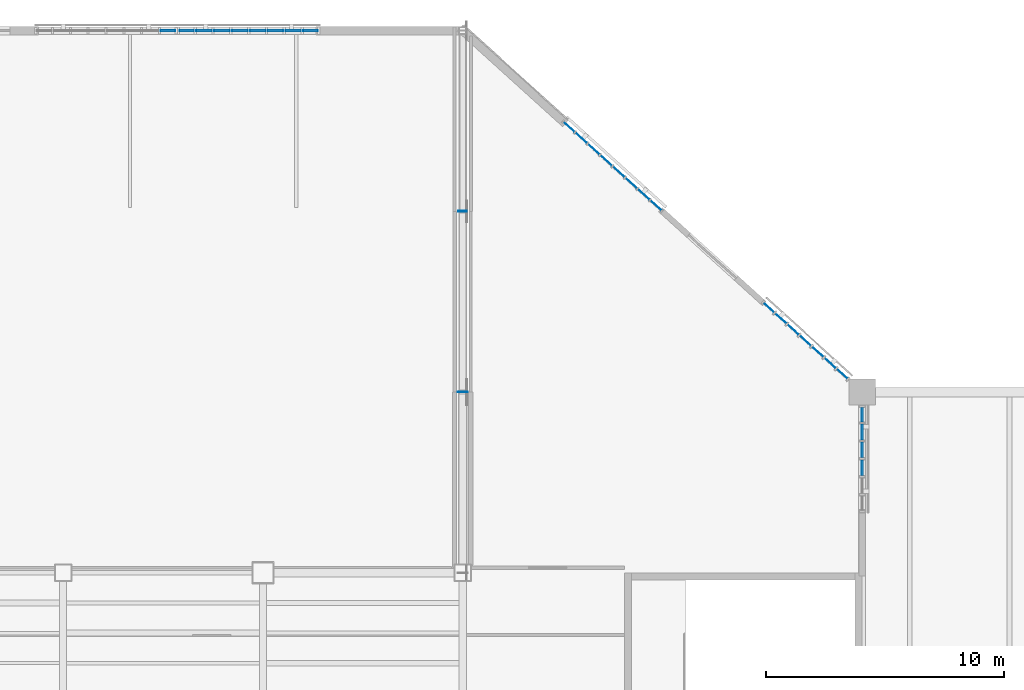
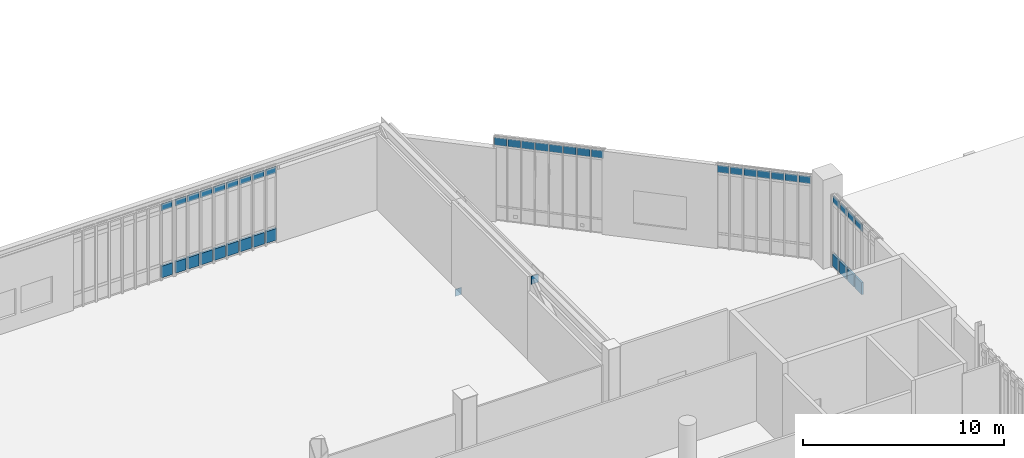
# One storey, part 103 of 135: 43 plates, 5 elements without a shape of their own.
"""IFC4 building model written with IfcOpenShell, lengths in metres."""

from ifc_helpers import new_model, si_unit, direction, frame, origin, origin_2d, place, context, subcontext, project, spatial, rectangle, extrude, material, layer, layer_set, type_object, element, aggregate, save


model = new_model("IFC4")

# Units and contexts
model_context = context("Model", 3, precision=1e-05, world=origin(), true_north=direction((0.0, 1.0)))
body_context = subcontext(model_context, "Body", "Model", "MODEL_VIEW")
ifc_project = project(units=[si_unit("LENGTHUNIT", "METRE"), si_unit("AREAUNIT", "SQUARE_METRE"), si_unit("VOLUMEUNIT", "CUBIC_METRE"), si_unit("PLANEANGLEUNIT", "RADIAN"), si_unit("MASSUNIT", "GRAM", prefix="KILO")], contexts=[model_context])

# Site, building, storey
site_placement = place(None, origin())
site = spatial("IfcSite", under=ifc_project, at=site_placement, CompositionType="ELEMENT")
building_placement = place(site_placement, origin())
building = spatial("IfcBuilding", under=site, at=building_placement, Name="Larkvane Passage Sports Hall", CompositionType="ELEMENT")
storey_placement = place(building_placement, frame((0.0, 0.0, 16.800048828125)))
storey = spatial("IfcBuildingStorey", under=building, at=storey_placement, Name="L03", CompositionType="ELEMENT", Elevation=16.800048828125)

# Curtain wall, plate
ifc_material_1 = material(Name="Thermally broken aluminium and low-E glazing", Category="aluminium")
curtain_wall_type_1 = type_object("IfcCurtainWallType", Name="CW-STICK-FOYER", PredefinedType="USERDEFINED", material=ifc_material_1)
curtain_wall_1_placement = place(storey_placement, origin())
curtain_wall_1 = element("IfcCurtainWall", 1, at=curtain_wall_1_placement, inside=storey, type_object=curtain_wall_type_1, Name="Curtain wall CW5-L03-138", ObjectType="STICK CURTAIN WALL", PredefinedType="USERDEFINED")
ifc_material_2 = material(Name="Fire-stopped shadow-box spandrel panel")
ifc_layer_1 = layer(ifc_material_2, 0.10498046875)
ifc_layer_set_1 = layer_set([ifc_layer_1], Name="Fire-stopped shadow-box spandrel panel")
plate_type_1 = type_object("IfcPlateType", Name="CWP-SPD-105", PredefinedType="CURTAIN_PANEL", material=ifc_layer_set_1)
plate_1_placement = place(storey_placement, frame((64.402587890625, 114.39990234375, 0.08984375), z_axis=(0.0, 0.0, 1.0), x_axis=(1.0, 0.0, 0.0)))
plate_1 = element("IfcPlate", 2, at=plate_1_placement, type_object=plate_type_1, Name="CW-03 panel 8.1", PredefinedType="CURTAIN_PANEL", context=body_context, shape_type="SweptSolid", body=[
    extrude(rectangle(XDim=0.614990234375, YDim=0.10498046875, at=origin_2d()), origin(), (0.0, 0.0, 1.0), 0.715087890625),
])

# Curtain wall, plates
curtain_wall_2_placement = place(storey_placement, origin())
curtain_wall_2 = element("IfcCurtainWall", 3, at=curtain_wall_2_placement, inside=storey, type_object=curtain_wall_type_1, Name="Curtain wall CW5-L03-142", ObjectType="STICK CURTAIN WALL", PredefinedType="USERDEFINED")
plate_2_placement = place(storey_placement, frame((93.60009765625, 98.25732421875, 0.080078125), z_axis=(0.0, 0.0, 1.0), x_axis=(0.0, -1.0, 0.0)))
plate_2 = element("IfcPlate", 4, at=plate_2_placement, type_object=plate_type_1, Name="CW-03 panel 1.1", PredefinedType="CURTAIN_PANEL", context=body_context, shape_type="SweptSolid", body=[
    extrude(rectangle(XDim=0.633544921875, YDim=0.10498046875, at=origin_2d()), origin(), (0.0, 0.0, 1.0), 0.72998046875),
])
plate_3_placement = place(storey_placement, frame((93.60009765625, 97.52392578125, 0.080078125), z_axis=(0.0, 0.0, 1.0), x_axis=(0.0, -1.0, 0.0)))
plate_3 = element("IfcPlate", 5, at=plate_3_placement, type_object=plate_type_1, Name="CW-03 panel 2.1", PredefinedType="CURTAIN_PANEL", context=body_context, shape_type="SweptSolid", body=[
    extrude(rectangle(XDim=0.67333984375, YDim=0.10498046875, at=origin_2d()), origin(), (0.0, 0.0, 1.0), 0.72998046875),
])
plate_4_placement = place(storey_placement, frame((93.60009765625, 96.770263671875, 0.080078125), z_axis=(0.0, 0.0, 1.0), x_axis=(0.0, -1.0, 0.0)))
plate_4 = element("IfcPlate", 6, at=plate_4_placement, type_object=plate_type_1, Name="CW-03 panel 3.1", PredefinedType="CURTAIN_PANEL", context=body_context, shape_type="SweptSolid", body=[
    extrude(rectangle(XDim=0.67333984375, YDim=0.10498046875, at=origin_2d()), origin(), (0.0, 0.0, 1.0), 0.72998046875),
])
plate_5_placement = place(storey_placement, frame((93.60009765625, 96.016845703125, 0.080078125), z_axis=(0.0, 0.0, 1.0), x_axis=(0.0, -1.0, 0.0)))
plate_5 = element("IfcPlate", 7, at=plate_5_placement, type_object=plate_type_1, Name="CW-03 panel 4.1", PredefinedType="CURTAIN_PANEL", context=body_context, shape_type="SweptSolid", body=[
    extrude(rectangle(XDim=0.67333984375, YDim=0.10498046875, at=origin_2d()), origin(), (0.0, 0.0, 1.0), 0.72998046875),
])

curtain_wall_type_2 = type_object("IfcCurtainWallType", Name="CW-CLINIC", PredefinedType="USERDEFINED", material=ifc_material_1)
curtain_wall_3_placement = place(storey_placement, origin())
curtain_wall_3 = element("IfcCurtainWall", 8, at=curtain_wall_3_placement, inside=storey, type_object=curtain_wall_type_2, Name="Curtain wall CW5-L03-139", ObjectType="UNITISED CURTAIN WALL", PredefinedType="USERDEFINED")
ifc_material_3 = material(Name="Deep insulated facade spandrel panel")
ifc_layer_2 = layer(ifc_material_3, 0.125)
ifc_layer_set_2 = layer_set([ifc_layer_2], Name="Deep insulated facade spandrel panel")
plate_type_2 = type_object("IfcPlateType", Name="CWP-SPD-125", PredefinedType="CURTAIN_PANEL", material=ifc_layer_set_2)
plate_6_placement = place(storey_placement, frame((65.199951171875, 114.39990234375, 0.10009765625), z_axis=(0.0, 0.0, 1.0), x_axis=(1.0, 0.0, 0.0)))
plate_6 = element("IfcPlate", 9, at=plate_6_placement, type_object=plate_type_2, Name="CW-05 panel 1.1", PredefinedType="CURTAIN_PANEL", context=body_context, shape_type="SweptSolid", body=[
    extrude(rectangle(XDim=0.60009765625, YDim=0.125, at=origin_2d()), origin(), (0.0, 0.0, 1.0), 0.699951171875),
])
plate_7_placement = place(storey_placement, frame((65.925048828125, 114.39990234375, 0.10009765625), z_axis=(0.0, 0.0, 1.0), x_axis=(1.0, 0.0, 0.0)))
plate_7 = element("IfcPlate", 10, at=plate_7_placement, type_object=plate_type_2, Name="CW-05 panel 2.1", PredefinedType="CURTAIN_PANEL", context=body_context, shape_type="SweptSolid", body=[
    extrude(rectangle(XDim=0.64990234375, YDim=0.125, at=origin_2d()), origin(), (0.0, 0.0, 1.0), 0.699951171875),
])
plate_8_placement = place(storey_placement, frame((66.675048828125, 114.39990234375, 0.10009765625), z_axis=(0.0, 0.0, 1.0), x_axis=(1.0, 0.0, 0.0)))
plate_8 = element("IfcPlate", 11, at=plate_8_placement, type_object=plate_type_2, Name="CW-05 panel 3.1", PredefinedType="CURTAIN_PANEL", context=body_context, shape_type="SweptSolid", body=[
    extrude(rectangle(XDim=0.64990234375, YDim=0.125, at=origin_2d()), origin(), (0.0, 0.0, 1.0), 0.699951171875),
])
plate_9_placement = place(storey_placement, frame((67.425048828125, 114.39990234375, 0.10009765625), z_axis=(0.0, 0.0, 1.0), x_axis=(1.0, 0.0, 0.0)))
plate_9 = element("IfcPlate", 12, at=plate_9_placement, type_object=plate_type_2, Name="CW-05 panel 4.1", PredefinedType="CURTAIN_PANEL", context=body_context, shape_type="SweptSolid", body=[
    extrude(rectangle(XDim=0.64990234375, YDim=0.125, at=origin_2d()), origin(), (0.0, 0.0, 1.0), 0.699951171875),
])
plate_10_placement = place(storey_placement, frame((68.175048828125, 114.39990234375, 0.10009765625), z_axis=(0.0, 0.0, 1.0), x_axis=(1.0, 0.0, 0.0)))
plate_10 = element("IfcPlate", 13, at=plate_10_placement, type_object=plate_type_2, Name="CW-05 panel 5.1", PredefinedType="CURTAIN_PANEL", context=body_context, shape_type="SweptSolid", body=[
    extrude(rectangle(XDim=0.64990234375, YDim=0.125, at=origin_2d()), origin(), (0.0, 0.0, 1.0), 0.699951171875),
])
plate_11_placement = place(storey_placement, frame((68.925048828125, 114.39990234375, 0.10009765625), z_axis=(0.0, 0.0, 1.0), x_axis=(1.0, 0.0, 0.0)))
plate_11 = element("IfcPlate", 14, at=plate_11_placement, type_object=plate_type_2, Name="CW-05 panel 6.1", PredefinedType="CURTAIN_PANEL", context=body_context, shape_type="SweptSolid", body=[
    extrude(rectangle(XDim=0.64990234375, YDim=0.125, at=origin_2d()), origin(), (0.0, 0.0, 1.0), 0.699951171875),
])
plate_12_placement = place(storey_placement, frame((69.675048828125, 114.39990234375, 0.10009765625), z_axis=(0.0, 0.0, 1.0), x_axis=(1.0, 0.0, 0.0)))
plate_12 = element("IfcPlate", 15, at=plate_12_placement, type_object=plate_type_2, Name="CW-05 panel 7.1", PredefinedType="CURTAIN_PANEL", context=body_context, shape_type="SweptSolid", body=[
    extrude(rectangle(XDim=0.64990234375, YDim=0.125, at=origin_2d()), origin(), (0.0, 0.0, 1.0), 0.699951171875),
])
plate_13_placement = place(storey_placement, frame((70.39990234375, 114.39990234375, 0.10009765625), z_axis=(0.0, 0.0, 1.0), x_axis=(1.0, 0.0, 0.0)))
plate_13 = element("IfcPlate", 16, at=plate_13_placement, type_object=plate_type_2, Name="CW-05 panel 8.1", PredefinedType="CURTAIN_PANEL", context=body_context, shape_type="SweptSolid", body=[
    extrude(rectangle(XDim=0.60009765625, YDim=0.125, at=origin_2d()), origin(), (0.0, 0.0, 1.0), 0.699951171875),
])

curtain_wall_type_3 = type_object("IfcCurtainWallType", Name="CW-UNIT-COURT", PredefinedType="USERDEFINED", material=ifc_material_1)
curtain_wall_4_placement = place(storey_placement, origin())
curtain_wall_4 = element("IfcCurtainWall", 17, at=curtain_wall_4_placement, inside=storey, type_object=curtain_wall_type_3, Name="Curtain wall CW5-L03-140", ObjectType="UNITISED CURTAIN WALL", PredefinedType="USERDEFINED")
ifc_material_4 = material(Name="Solar-control low-E double glazing", Category="glass")
ifc_layer_3 = layer(ifc_material_4, 0.028076171875)
ifc_layer_set_3 = layer_set([ifc_layer_3], Name="Solar-control low-E double glazing")
plate_type_3 = type_object("IfcPlateType", Name="CWP-VIS-28", PredefinedType="CURTAIN_PANEL", material=ifc_layer_set_3)
plate_14_placement = place(storey_placement, frame((81.273681640625, 110.3525390625, 4.550048828125), z_axis=(0.0, 0.0, 1.0), x_axis=(0.741535779122, -0.670913323971, 0.0)))
plate_14 = element("IfcPlate", 18, at=plate_14_placement, type_object=plate_type_3, Name="CW-01 panel 1.3", PredefinedType="CURTAIN_PANEL", context=body_context, shape_type="SweptSolid", body=[
    extrude(rectangle(XDim=0.617919921875, YDim=0.028076171875, at=origin_2d()), origin(), (0.0, 0.0, 1.0), 0.4599609375),
])
plate_15_placement = place(storey_placement, frame((81.78759765625, 109.887451171875, 4.550048828125), z_axis=(0.0, 0.0, 1.0), x_axis=(0.741535779122, -0.670913323971, 0.0)))
plate_15 = element("IfcPlate", 19, at=plate_15_placement, type_object=plate_type_3, Name="CW-01 panel 2.3", PredefinedType="CURTAIN_PANEL", context=body_context, shape_type="SweptSolid", body=[
    extrude(rectangle(XDim=0.64794921875, YDim=0.028076171875, at=origin_2d()), origin(), (0.0, 0.0, 1.0), 0.4599609375),
])
plate_16_placement = place(storey_placement, frame((82.3125, 109.41259765625, 4.550048828125), z_axis=(0.0, 0.0, 1.0), x_axis=(0.741535779122, -0.670913323971, 0.0)))
plate_16 = element("IfcPlate", 20, at=plate_16_placement, type_object=plate_type_3, Name="CW-01 panel 3.3", PredefinedType="CURTAIN_PANEL", context=body_context, shape_type="SweptSolid", body=[
    extrude(rectangle(XDim=0.64794921875, YDim=0.028076171875, at=origin_2d()), origin(), (0.0, 0.0, 1.0), 0.4599609375),
])
plate_17_placement = place(storey_placement, frame((82.83740234375, 108.9375, 4.550048828125), z_axis=(0.0, 0.0, 1.0), x_axis=(0.741535779122, -0.670913323971, 0.0)))
plate_17 = element("IfcPlate", 21, at=plate_17_placement, type_object=plate_type_3, Name="CW-01 panel 4.3", PredefinedType="CURTAIN_PANEL", context=body_context, shape_type="SweptSolid", body=[
    extrude(rectangle(XDim=0.64794921875, YDim=0.028076171875, at=origin_2d()), origin(), (0.0, 0.0, 1.0), 0.4599609375),
])
plate_18_placement = place(storey_placement, frame((83.362548828125, 108.46240234375, 4.550048828125), z_axis=(0.0, 0.0, 1.0), x_axis=(0.741535779122, -0.670913323971, 0.0)))
plate_18 = element("IfcPlate", 22, at=plate_18_placement, type_object=plate_type_3, Name="CW-01 panel 5.3", PredefinedType="CURTAIN_PANEL", context=body_context, shape_type="SweptSolid", body=[
    extrude(rectangle(XDim=0.64794921875, YDim=0.028076171875, at=origin_2d()), origin(), (0.0, 0.0, 1.0), 0.4599609375),
])
plate_19_placement = place(storey_placement, frame((83.887451171875, 107.987548828125, 4.550048828125), z_axis=(0.0, 0.0, 1.0), x_axis=(0.741535779122, -0.670913323971, 0.0)))
plate_19 = element("IfcPlate", 23, at=plate_19_placement, type_object=plate_type_3, Name="CW-01 panel 6.3", PredefinedType="CURTAIN_PANEL", context=body_context, shape_type="SweptSolid", body=[
    extrude(rectangle(XDim=0.64794921875, YDim=0.028076171875, at=origin_2d()), origin(), (0.0, 0.0, 1.0), 0.4599609375),
])
plate_20_placement = place(storey_placement, frame((84.41259765625, 107.512451171875, 4.550048828125), z_axis=(0.0, 0.0, 1.0), x_axis=(0.741535779122, -0.670913323971, 0.0)))
plate_20 = element("IfcPlate", 24, at=plate_20_placement, type_object=plate_type_3, Name="CW-01 panel 7.3", PredefinedType="CURTAIN_PANEL", context=body_context, shape_type="SweptSolid", body=[
    extrude(rectangle(XDim=0.64794921875, YDim=0.028076171875, at=origin_2d()), origin(), (0.0, 0.0, 1.0), 0.4599609375),
])
plate_21_placement = place(storey_placement, frame((84.92626953125, 107.047607421875, 4.550048828125), z_axis=(0.0, 0.0, 1.0), x_axis=(0.741535779122, -0.670913323971, 0.0)))
plate_21 = element("IfcPlate", 25, at=plate_21_placement, type_object=plate_type_3, Name="CW-01 panel 8.3", PredefinedType="CURTAIN_PANEL", context=body_context, shape_type="SweptSolid", body=[
    extrude(rectangle(XDim=0.617919921875, YDim=0.028076171875, at=origin_2d()), origin(), (0.0, 0.0, 1.0), 0.4599609375),
])
aggregate(curtain_wall_4, [plate_14, plate_15, plate_16, plate_17, plate_18, plate_19, plate_20, plate_21])

curtain_wall_type_4 = type_object("IfcCurtainWallType", Name="CW-UNIT-VEIL", PredefinedType="USERDEFINED", material=ifc_material_1)
curtain_wall_5_placement = place(storey_placement, origin())
curtain_wall_5 = element("IfcCurtainWall", 26, at=curtain_wall_5_placement, inside=storey, type_object=curtain_wall_type_4, Name="Curtain wall CW5-L03-141", ObjectType="UNITISED CURTAIN WALL", PredefinedType="USERDEFINED")
ifc_material_5 = material(Name="Laminated acoustic low-E glazing", Category="glass")
ifc_layer_4 = layer(ifc_material_5, 0.031982421875)
ifc_layer_set_4 = layer_set([ifc_layer_4], Name="Laminated acoustic low-E glazing")
plate_type_4 = type_object("IfcPlateType", Name="CWP-VIS-32", PredefinedType="CURTAIN_PANEL", material=ifc_layer_set_4)
plate_22_placement = place(storey_placement, frame((89.672119140625, 102.75390625, 4.5546875), z_axis=(0.0, 0.0, 1.0), x_axis=(0.741533841653, -0.670915465378, 0.0)))
plate_22 = element("IfcPlate", 27, at=plate_22_placement, type_object=plate_type_4, Name="CW-02 panel 1.3", PredefinedType="CURTAIN_PANEL", context=body_context, shape_type="SweptSolid", body=[
    extrude(rectangle(XDim=0.59375, YDim=0.031982421875, at=origin_2d()), origin(), (0.0, 0.0, 1.0), 0.445068359375),
])
plate_23_placement = place(storey_placement, frame((90.17724609375, 102.296875, 4.5546875), z_axis=(0.0, 0.0, 1.0), x_axis=(0.741533841653, -0.670915465378, 0.0)))
plate_23 = element("IfcPlate", 28, at=plate_23_placement, type_object=plate_type_4, Name="CW-02 panel 2.3", PredefinedType="CURTAIN_PANEL", context=body_context, shape_type="SweptSolid", body=[
    extrude(rectangle(XDim=0.628662109375, YDim=0.031982421875, at=origin_2d()), origin(), (0.0, 0.0, 1.0), 0.445068359375),
])
plate_24_placement = place(storey_placement, frame((90.6953125, 101.828125, 4.5546875), z_axis=(0.0, 0.0, 1.0), x_axis=(0.741533841653, -0.670915465378, 0.0)))
plate_24 = element("IfcPlate", 29, at=plate_24_placement, type_object=plate_type_4, Name="CW-02 panel 3.3", PredefinedType="CURTAIN_PANEL", context=body_context, shape_type="SweptSolid", body=[
    extrude(rectangle(XDim=0.628662109375, YDim=0.031982421875, at=origin_2d()), origin(), (0.0, 0.0, 1.0), 0.445068359375),
])
plate_25_placement = place(storey_placement, frame((91.21337890625, 101.359130859375, 4.5546875), z_axis=(0.0, 0.0, 1.0), x_axis=(0.741533841653, -0.670915465378, 0.0)))
plate_25 = element("IfcPlate", 30, at=plate_25_placement, type_object=plate_type_4, Name="CW-02 panel 4.3", PredefinedType="CURTAIN_PANEL", context=body_context, shape_type="SweptSolid", body=[
    extrude(rectangle(XDim=0.628662109375, YDim=0.031982421875, at=origin_2d()), origin(), (0.0, 0.0, 1.0), 0.445068359375),
])
plate_26_placement = place(storey_placement, frame((91.731689453125, 100.890380859375, 4.5546875), z_axis=(0.0, 0.0, 1.0), x_axis=(0.741533841653, -0.670915465378, 0.0)))
plate_26 = element("IfcPlate", 31, at=plate_26_placement, type_object=plate_type_4, Name="CW-02 panel 5.3", PredefinedType="CURTAIN_PANEL", context=body_context, shape_type="SweptSolid", body=[
    extrude(rectangle(XDim=0.628662109375, YDim=0.031982421875, at=origin_2d()), origin(), (0.0, 0.0, 1.0), 0.445068359375),
])
plate_27_placement = place(storey_placement, frame((92.249755859375, 100.421630859375, 4.5546875), z_axis=(0.0, 0.0, 1.0), x_axis=(0.741533841653, -0.670915465378, 0.0)))
plate_27 = element("IfcPlate", 32, at=plate_27_placement, type_object=plate_type_4, Name="CW-02 panel 6.3", PredefinedType="CURTAIN_PANEL", context=body_context, shape_type="SweptSolid", body=[
    extrude(rectangle(XDim=0.628662109375, YDim=0.031982421875, at=origin_2d()), origin(), (0.0, 0.0, 1.0), 0.445068359375),
])
plate_28_placement = place(storey_placement, frame((92.7548828125, 99.964599609375, 4.5546875), z_axis=(0.0, 0.0, 1.0), x_axis=(0.741533841653, -0.670915465378, 0.0)))
plate_28 = element("IfcPlate", 33, at=plate_28_placement, type_object=plate_type_4, Name="CW-02 panel 7.3", PredefinedType="CURTAIN_PANEL", context=body_context, shape_type="SweptSolid", body=[
    extrude(rectangle(XDim=0.59375, YDim=0.031982421875, at=origin_2d()), origin(), (0.0, 0.0, 1.0), 0.445068359375),
])
aggregate(curtain_wall_5, [plate_22, plate_23, plate_24, plate_25, plate_26, plate_27, plate_28])

# Plate
ifc_material_6 = material(Name="High-impact court low-E glazing", Category="glass")
ifc_layer_5 = layer(ifc_material_6, 0.035888671875)
ifc_layer_set_5 = layer_set([ifc_layer_5], Name="High-impact court low-E glazing")
plate_type_5 = type_object("IfcPlateType", Name="CWP-VIS-36", PredefinedType="CURTAIN_PANEL", material=ifc_layer_set_5)
plate_29_placement = place(storey_placement, frame((64.402587890625, 114.39990234375, 4.142822265625), z_axis=(0.0, 0.0, 1.0), x_axis=(1.0, 0.0, 0.0)))
plate_29 = element("IfcPlate", 34, at=plate_29_placement, type_object=plate_type_5, Name="CW-03 panel 8.3", PredefinedType="CURTAIN_PANEL", context=body_context, shape_type="SweptSolid", body=[
    extrude(rectangle(XDim=0.614990234375, YDim=0.035888671875, at=origin_2d()), origin(), (0.0, 0.0, 1.0), 0.4150390625),
])

aggregate(curtain_wall_1, [plate_1, plate_29])

plate_30_placement = place(storey_placement, frame((93.60009765625, 98.25732421875, 3.89794921875), z_axis=(0.0, 0.0, 1.0), x_axis=(0.0, -1.0, 0.0)))
plate_30 = element("IfcPlate", 35, at=plate_30_placement, type_object=plate_type_5, Name="CW-03 panel 1.3", PredefinedType="CURTAIN_PANEL", context=body_context, shape_type="SweptSolid", body=[
    extrude(rectangle(XDim=0.633544921875, YDim=0.035888671875, at=origin_2d()), origin(), (0.0, 0.0, 1.0), 0.429931640625),
])

plate_31_placement = place(storey_placement, frame((93.60009765625, 97.52392578125, 3.89794921875), z_axis=(0.0, 0.0, 1.0), x_axis=(0.0, -1.0, 0.0)))
plate_31 = element("IfcPlate", 36, at=plate_31_placement, type_object=plate_type_5, Name="CW-03 panel 2.3", PredefinedType="CURTAIN_PANEL", context=body_context, shape_type="SweptSolid", body=[
    extrude(rectangle(XDim=0.67333984375, YDim=0.035888671875, at=origin_2d()), origin(), (0.0, 0.0, 1.0), 0.429931640625),
])

plate_32_placement = place(storey_placement, frame((93.60009765625, 96.770263671875, 3.89794921875), z_axis=(0.0, 0.0, 1.0), x_axis=(0.0, -1.0, 0.0)))
plate_32 = element("IfcPlate", 37, at=plate_32_placement, type_object=plate_type_5, Name="CW-03 panel 3.3", PredefinedType="CURTAIN_PANEL", context=body_context, shape_type="SweptSolid", body=[
    extrude(rectangle(XDim=0.67333984375, YDim=0.035888671875, at=origin_2d()), origin(), (0.0, 0.0, 1.0), 0.429931640625),
])

plate_33_placement = place(storey_placement, frame((93.60009765625, 96.016845703125, 3.89794921875), z_axis=(0.0, 0.0, 1.0), x_axis=(0.0, -1.0, 0.0)))
plate_33 = element("IfcPlate", 38, at=plate_33_placement, type_object=plate_type_5, Name="CW-03 panel 4.3", PredefinedType="CURTAIN_PANEL", context=body_context, shape_type="SweptSolid", body=[
    extrude(rectangle(XDim=0.67333984375, YDim=0.035888671875, at=origin_2d()), origin(), (0.0, 0.0, 1.0), 0.429931640625),
])

aggregate(curtain_wall_2, [plate_2, plate_30, plate_3, plate_31, plate_4, plate_32, plate_5, plate_33])

ifc_material_7 = material(Name="Triple-laminated typhoon glazing", Category="glass")
ifc_layer_6 = layer(ifc_material_7, 0.0419921875)
ifc_layer_set_6 = layer_set([ifc_layer_6], Name="Triple-laminated typhoon glazing")
plate_type_6 = type_object("IfcPlateType", Name="CWP-VIS-42", PredefinedType="CURTAIN_PANEL", material=ifc_layer_set_6)
plate_34_placement = place(storey_placement, frame((65.199951171875, 114.39990234375, 4.14794921875), z_axis=(0.0, 0.0, 1.0), x_axis=(1.0, 0.0, 0.0)))
plate_34 = element("IfcPlate", 39, at=plate_34_placement, type_object=plate_type_6, Name="CW-05 panel 1.3", PredefinedType="CURTAIN_PANEL", context=body_context, shape_type="SweptSolid", body=[
    extrude(rectangle(XDim=0.60009765625, YDim=0.0419921875, at=origin_2d()), origin(), (0.0, 0.0, 1.0), 0.39990234375),
])

plate_35_placement = place(storey_placement, frame((65.925048828125, 114.39990234375, 4.14794921875), z_axis=(0.0, 0.0, 1.0), x_axis=(1.0, 0.0, 0.0)))
plate_35 = element("IfcPlate", 40, at=plate_35_placement, type_object=plate_type_6, Name="CW-05 panel 2.3", PredefinedType="CURTAIN_PANEL", context=body_context, shape_type="SweptSolid", body=[
    extrude(rectangle(XDim=0.64990234375, YDim=0.0419921875, at=origin_2d()), origin(), (0.0, 0.0, 1.0), 0.39990234375),
])

plate_36_placement = place(storey_placement, frame((66.675048828125, 114.39990234375, 4.14794921875), z_axis=(0.0, 0.0, 1.0), x_axis=(1.0, 0.0, 0.0)))
plate_36 = element("IfcPlate", 41, at=plate_36_placement, type_object=plate_type_6, Name="CW-05 panel 3.3", PredefinedType="CURTAIN_PANEL", context=body_context, shape_type="SweptSolid", body=[
    extrude(rectangle(XDim=0.64990234375, YDim=0.0419921875, at=origin_2d()), origin(), (0.0, 0.0, 1.0), 0.39990234375),
])

plate_37_placement = place(storey_placement, frame((67.425048828125, 114.39990234375, 4.14794921875), z_axis=(0.0, 0.0, 1.0), x_axis=(1.0, 0.0, 0.0)))
plate_37 = element("IfcPlate", 42, at=plate_37_placement, type_object=plate_type_6, Name="CW-05 panel 4.3", PredefinedType="CURTAIN_PANEL", context=body_context, shape_type="SweptSolid", body=[
    extrude(rectangle(XDim=0.64990234375, YDim=0.0419921875, at=origin_2d()), origin(), (0.0, 0.0, 1.0), 0.39990234375),
])

plate_38_placement = place(storey_placement, frame((68.175048828125, 114.39990234375, 4.14794921875), z_axis=(0.0, 0.0, 1.0), x_axis=(1.0, 0.0, 0.0)))
plate_38 = element("IfcPlate", 43, at=plate_38_placement, type_object=plate_type_6, Name="CW-05 panel 5.3", PredefinedType="CURTAIN_PANEL", context=body_context, shape_type="SweptSolid", body=[
    extrude(rectangle(XDim=0.64990234375, YDim=0.0419921875, at=origin_2d()), origin(), (0.0, 0.0, 1.0), 0.39990234375),
])

plate_39_placement = place(storey_placement, frame((68.925048828125, 114.39990234375, 4.14794921875), z_axis=(0.0, 0.0, 1.0), x_axis=(1.0, 0.0, 0.0)))
plate_39 = element("IfcPlate", 44, at=plate_39_placement, type_object=plate_type_6, Name="CW-05 panel 6.3", PredefinedType="CURTAIN_PANEL", context=body_context, shape_type="SweptSolid", body=[
    extrude(rectangle(XDim=0.64990234375, YDim=0.0419921875, at=origin_2d()), origin(), (0.0, 0.0, 1.0), 0.39990234375),
])

plate_40_placement = place(storey_placement, frame((69.675048828125, 114.39990234375, 4.14794921875), z_axis=(0.0, 0.0, 1.0), x_axis=(1.0, 0.0, 0.0)))
plate_40 = element("IfcPlate", 45, at=plate_40_placement, type_object=plate_type_6, Name="CW-05 panel 7.3", PredefinedType="CURTAIN_PANEL", context=body_context, shape_type="SweptSolid", body=[
    extrude(rectangle(XDim=0.64990234375, YDim=0.0419921875, at=origin_2d()), origin(), (0.0, 0.0, 1.0), 0.39990234375),
])

plate_41_placement = place(storey_placement, frame((70.39990234375, 114.39990234375, 4.14794921875), z_axis=(0.0, 0.0, 1.0), x_axis=(1.0, 0.0, 0.0)))
plate_41 = element("IfcPlate", 46, at=plate_41_placement, type_object=plate_type_6, Name="CW-05 panel 8.3", PredefinedType="CURTAIN_PANEL", context=body_context, shape_type="SweptSolid", body=[
    extrude(rectangle(XDim=0.60009765625, YDim=0.0419921875, at=origin_2d()), origin(), (0.0, 0.0, 1.0), 0.39990234375),
])

aggregate(curtain_wall_3, [plate_6, plate_34, plate_7, plate_35, plate_8, plate_36, plate_9, plate_37, plate_10, plate_38, plate_11, plate_39, plate_12, plate_40, plate_13, plate_41])

# Plates
ifc_material_8 = material(Name="Steel S460N", Category="steel")
ifc_layer_7 = layer(ifc_material_8, 0.02001953125)
ifc_layer_set_7 = layer_set([ifc_layer_7], Name="Steel S460N")
plate_type_7 = type_object("IfcPlateType", Name="PLT-CAP-20", PredefinedType="SHEET", material=ifc_layer_set_7)
plate_42_placement = place(storey_placement, frame((76.800048828125, 99.208251953125, 4.51708984375), z_axis=(0.0, 0.0, 1.0), x_axis=(-1.0, 0.0, 0.0)))
element("IfcPlate", 47, at=plate_42_placement, inside=storey, type_object=plate_type_7, Name="Hollow section sealed end cap plate 0153", PredefinedType="SHEET", context=body_context, shape_type="SweptSolid", body=[
    extrude(rectangle(XDim=0.409912109375, YDim=0.028076171875, at=origin_2d()), origin(), (0.0, 0.0, 1.0), 0.489013671875),
])
plate_43_placement = place(storey_placement, frame((76.800048828125, 106.80810546875, -0.83349609375), z_axis=(0.0, 0.0, 1.0), x_axis=(-1.0, 0.0, 0.0)))
element("IfcPlate", 48, at=plate_43_placement, inside=storey, type_object=plate_type_7, Name="Hollow section sealed end cap plate 0154", PredefinedType="SHEET", context=body_context, shape_type="SweptSolid", body=[
    extrude(rectangle(XDim=0.360107421875, YDim=0.028076171875, at=origin_2d()), origin(), (0.0, 0.0, 1.0), 0.427001953125),
])

save(model, "model.ifc")
